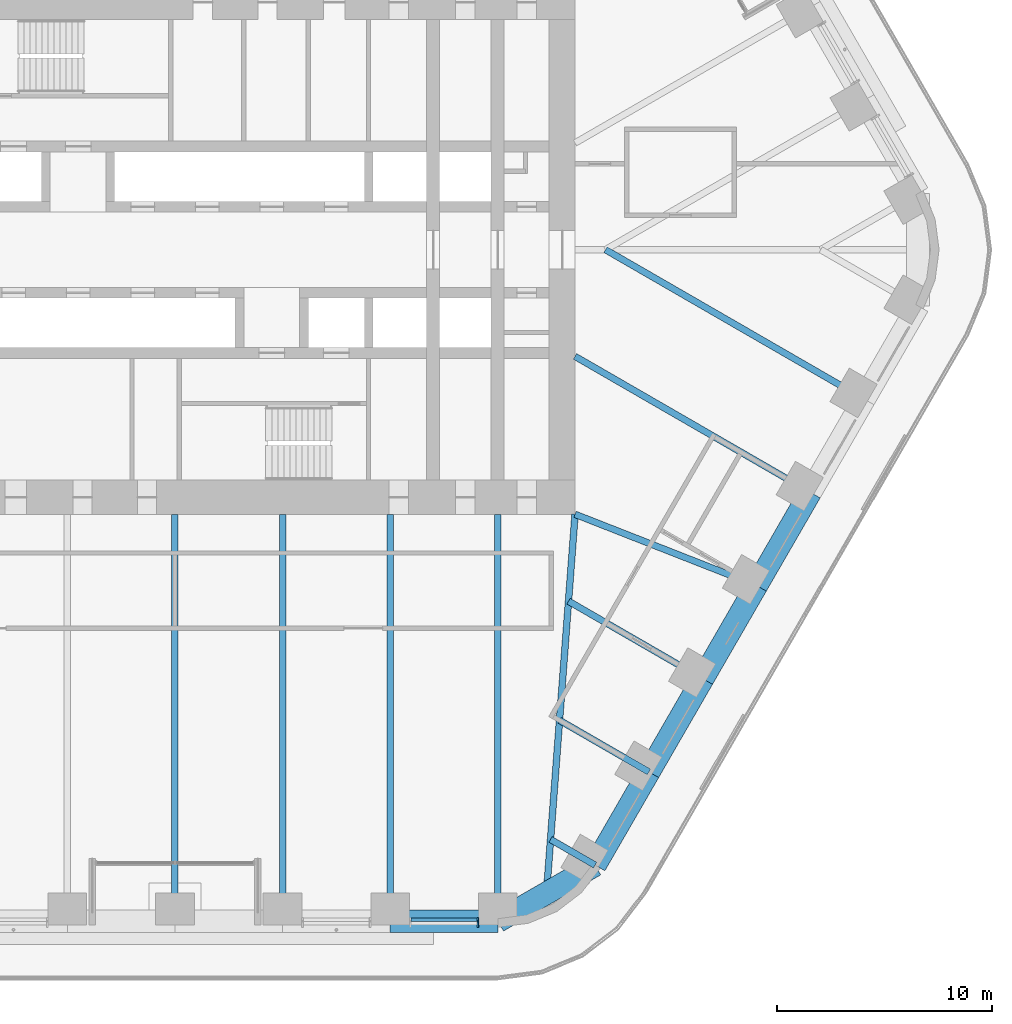
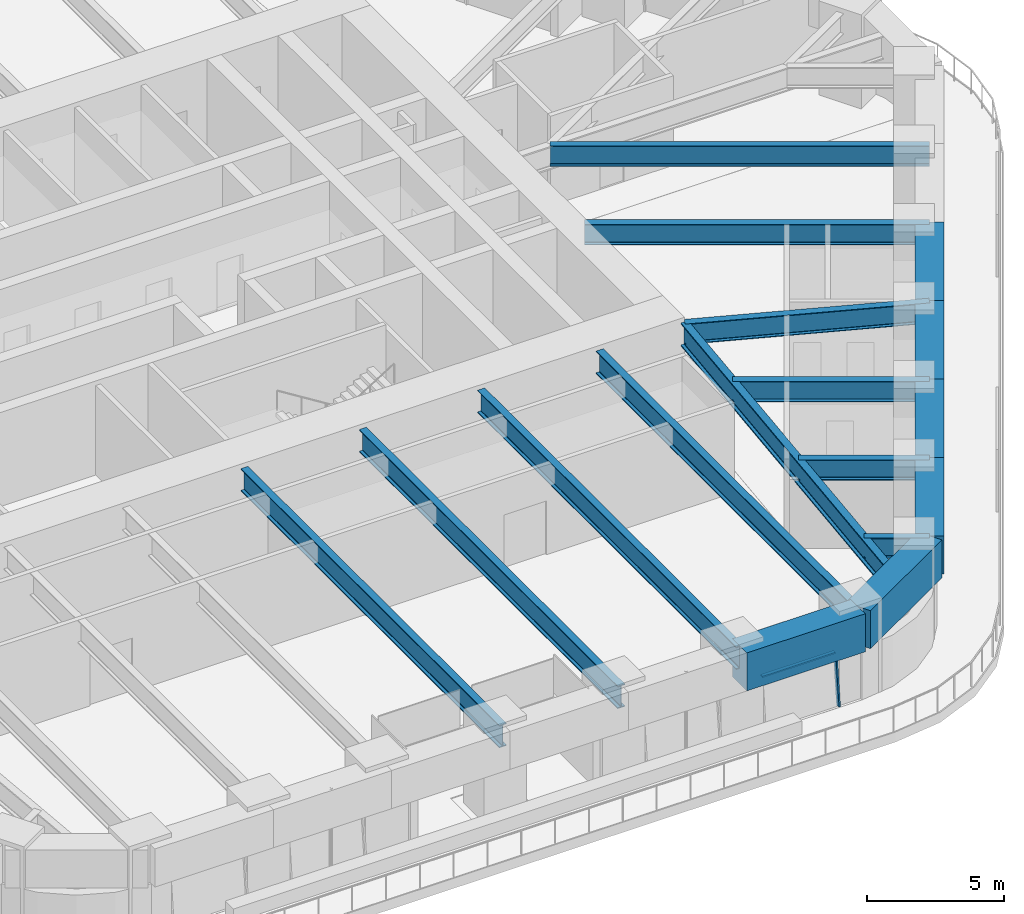
# One storey, part 5 of 24: 17 beams, 2 members, 1 element without a shape of its own.
"""IFC4 building model written with IfcOpenShell, lengths in metres."""

from ifc_helpers import new_model, si_unit, direction, frame, origin, origin_2d, place, context, subcontext, project, spatial, rectangle, i_section, extrude, material, material_profile, profile_set, type_object, element, aggregate, save


model = new_model("IFC4")

# Units and contexts
model_context = context("Model", 3, precision=1e-05, world=origin(), true_north=direction((0.0, 1.0)))
body_context = subcontext(model_context, "Body", "Model", "MODEL_VIEW")
ifc_project = project(units=[si_unit("LENGTHUNIT", "METRE"), si_unit("AREAUNIT", "SQUARE_METRE"), si_unit("VOLUMEUNIT", "CUBIC_METRE"), si_unit("PLANEANGLEUNIT", "RADIAN"), si_unit("MASSUNIT", "GRAM", prefix="KILO")], contexts=[model_context])

# Site, building, storey
site_placement = place(None, origin())
site = spatial("IfcSite", under=ifc_project, at=site_placement, CompositionType="ELEMENT")
building_placement = place(site_placement, origin())
building = spatial("IfcBuilding", under=site, at=building_placement, Name="Tarfa Lantern Tower", CompositionType="ELEMENT")
storey_placement = place(building_placement, frame((0.0, 0.0, 132.10009765625)))
storey = spatial("IfcBuildingStorey", under=building, at=storey_placement, Name="L29", CompositionType="ELEMENT", Elevation=132.10009765625)

# Curtain wall, members
ifc_material_1 = material(Name="Aluminium framed curtain wall", Category="aluminium")
curtain_wall_type = type_object("IfcCurtainWallType", Name="CW2 CANTED GLAZING MID ZONE 2300", PredefinedType="USERDEFINED", material=ifc_material_1)
curtain_wall_placement = place(storey_placement, origin())
curtain_wall = element("IfcCurtainWall", 1, at=curtain_wall_placement, inside=storey, type_object=curtain_wall_type, Name="CW2 SB L29", ObjectType="CURTAIN WALL", PredefinedType="USERDEFINED")
ifc_material_2 = material(Name="Aluminium mullion", Category="aluminium")
ifc_material_profile_1 = material_profile(ifc_material_2, rectangle(XDim=0.06494140625, YDim=0.199951171875, at=origin_2d()), Name="AL MULLION 65x200")
ifc_profile_set_1 = profile_set([ifc_material_profile_1], Name="Aluminium mullion")
member_type_1 = type_object("IfcMemberType", Name="CWM1 MULLION 65x200", PredefinedType="MULLION", material=ifc_profile_set_1)
member_1_placement = place(storey_placement, frame((14.07861328125, -31.39990234375, 0.0), z_axis=(0.0, 0.108068250598, 0.994143477177), x_axis=(-1.0, 0.0, 0.0)))
member_1 = element("IfcMember", 2, at=member_1_placement, type_object=member_type_1, Name="CW2 mullion 2", PredefinedType="MULLION", context=body_context, shape_type="SweptSolid", body=[
    extrude(rectangle(XDim=0.06494140625, YDim=0.199951171875, at=origin_2d()), origin(), (0.0, 0.0, 1.0), 2.313232421875),
])
ifc_material_3 = material(Name="Aluminium transom", Category="aluminium")
ifc_material_profile_2 = material_profile(ifc_material_3, rectangle(XDim=0.14990234375, YDim=0.06494140625, at=origin_2d()), Name="AL TRANSOM 150x65")
ifc_profile_set_2 = profile_set([ifc_material_profile_2], Name="Aluminium transom")
member_type_2 = type_object("IfcMemberType", Name="CWT1 TRANSOM 150x65", PredefinedType="USERDEFINED", material=ifc_profile_set_2)
member_2_placement = place(storey_placement, frame((10.972412109375, -31.153564453125, 2.267333984375), z_axis=(1.0, 0.0, 0.0), x_axis=(0.0, 1.0, 0.0)))
member_2 = element("IfcMember", 3, at=member_2_placement, type_object=member_type_2, Name="CW2 transom 1.2", ObjectType="TRANSOM", PredefinedType="USERDEFINED", context=body_context, shape_type="SweptSolid", body=[
    extrude(rectangle(XDim=0.14990234375, YDim=0.06494140625, at=origin_2d()), origin(), (0.0, 0.0, 1.0), 3.07373046875),
])
aggregate(curtain_wall, [member_1, member_2])

# Beams
ifc_material_4 = material(Name="Concrete C80/95", Category="concrete")
ifc_material_profile_3 = material_profile(ifc_material_4, rectangle(XDim=1.050048828125, YDim=1.699951171875, at=origin_2d()), Name="RC 1050x1700")
ifc_profile_set_3 = profile_set([ifc_material_profile_3], Name="Concrete C80/95")
beam_type_1 = type_object("IfcBeamType", Name="RB2 RC 1050x1700", PredefinedType="BEAM", material=ifc_profile_set_3)
beam_1_placement = place(storey_placement, frame((10.00732421875, -31.219970703125, 3.14990234375), z_axis=(1.0, 0.0, 0.0), x_axis=(0.0, 1.0, 0.0)))
element("IfcBeam", 4, at=beam_1_placement, inside=storey, type_object=beam_type_1, Name="Edge beam S5", PredefinedType="BEAM", context=body_context, shape_type="SweptSolid", body=[
    extrude(rectangle(XDim=1.050048828125, YDim=1.699951171875, at=origin_2d()), origin(), (0.0, 0.0, 1.0), 5.003662109375),
])
beam_2_placement = place(storey_placement, frame((15.010986328125, -31.219970703125, 3.14990234375), z_axis=(0.86604150238, 0.499972115377, 0.0), x_axis=(-0.499972115377, 0.86604150238, 0.0)))
element("IfcBeam", 5, at=beam_2_placement, inside=storey, type_object=beam_type_1, Name="Edge beam S6", PredefinedType="BEAM", context=body_context, shape_type="SweptSolid", body=[
    extrude(rectangle(XDim=1.050048828125, YDim=1.699951171875, at=origin_2d()), origin(), (0.0, 0.0, 1.0), 5.219970703125),
])
beam_3_placement = place(storey_placement, frame((19.53173828125, -28.610107421875, 3.14990234375), z_axis=(0.500001197378, 0.866024712477, 0.0), x_axis=(-0.866024712477, 0.500001197378, 0.0)))
element("IfcBeam", 6, at=beam_3_placement, inside=storey, type_object=beam_type_1, Name="Edge beam SE0", PredefinedType="BEAM", context=body_context, shape_type="SweptSolid", body=[
    extrude(rectangle(XDim=1.050048828125, YDim=1.699951171875, at=origin_2d()), origin(), (0.0, 0.0, 1.0), 5.00390625),
])
for number, where, z_axis, x_axis, name in (
    (7, (22.03369140625, -24.276611328125, 3.14990234375), (0.49998573051, 0.866033642122, 0.0), (-0.866033642122, 0.49998573051, 0.0), "Edge beam SE1"),
    (8, (24.535400390625, -19.943359375, 3.14990234375), (0.500022324899, 0.866012514114, 0.0), (-0.866012514114, 0.500022324899, 0.0), "Edge beam SE2"),
    (9, (27.037353515625, -15.610107421875, 3.14990234375), (0.499964603504, 0.866045838996, 0.0), (-0.866045838996, 0.499964603504, 0.0), "Edge beam SE3"),
):
    element("IfcBeam", number, at=place(storey_placement, frame(where, z_axis=z_axis, x_axis=x_axis)), inside=storey, type_object=beam_type_1, Name=name, PredefinedType="BEAM", context=body_context, shape_type="SweptSolid", body=[
        extrude(rectangle(XDim=1.050048828125, YDim=1.699951171875, at=origin_2d()), origin(), (0.0, 0.0, 1.0), 5.003662109375),
    ])
ifc_material_5 = material(Name="Steel S460M", Category="steel")
ifc_material_profile_4 = material_profile(ifc_material_5, i_section(OverallWidth=0.302001953125, OverallDepth=1.008056640625, WebThickness=0.02099609375, FlangeThickness=0.0400390625, FilletRadius=0.030029296875, at=origin_2d()), Name="UB1016x305x349")
ifc_profile_set_4 = profile_set([ifc_material_profile_4], Name="Steel S460M")
beam_type_2 = type_object("IfcBeamType", Name="UB1016x305x349", PredefinedType="BEAM", material=ifc_profile_set_4)
for number, where, z_axis, x_axis, name in (
    (10, (0.0, -31.219970703125, 3.495849609375), (0.0, 1.0, 0.0), (-1.0, 0.0, 0.0), "Floor beam S3"),
    (11, (5.003662109375, -31.219970703125, 3.495849609375), (0.0, 1.0, 0.0), (-1.0, 0.0, 0.0), "Floor beam S4"),
    (12, (10.00732421875, -31.219970703125, 3.495849609375), (0.0, 1.0, 0.0), (-1.0, 0.0, 0.0), "Floor beam S5"),
    (13, (15.010986328125, -31.219970703125, 3.495849609375), (0.0, 1.0, 0.0), (-1.0, 0.0, 0.0), "Floor beam S6"),
):
    element("IfcBeam", number, at=place(storey_placement, frame(where, z_axis=z_axis, x_axis=x_axis)), inside=storey, type_object=beam_type_2, Name=name, PredefinedType="BEAM", context=body_context, shape_type="SweptSolid", body=[
        extrude(i_section(OverallWidth=0.302001953125, OverallDepth=1.008056640625, WebThickness=0.02099609375, FlangeThickness=0.0400390625, FilletRadius=0.030029296875, at=origin_2d()), origin(), (0.0, 0.0, 1.0), 18.919921875),
    ])
ifc_material_profile_5 = material_profile(ifc_material_5, i_section(OverallWidth=0.30859375, OverallDepth=1.036376953125, WebThickness=0.030029296875, FlangeThickness=0.05419921875, FilletRadius=0.030029296875, at=origin_2d()), Name="UB1016x305x487")
ifc_profile_set_5 = profile_set([ifc_material_profile_5], Name="Steel S460M")
beam_type_3 = type_object("IfcBeamType", Name="UB1016x305x487", PredefinedType="BEAM", material=ifc_profile_set_5)
beam_4_placement = place(storey_placement, frame((18.60009765625, -12.300048828125, 3.481689453125), z_axis=(-0.075211516041, -0.99716760269, 0.0), x_axis=(0.99716760269, -0.075211516041, 0.0)))
element("IfcBeam", 14, at=beam_4_placement, inside=storey, type_object=beam_type_3, Name="Hip girder SE", PredefinedType="BEAM", context=body_context, shape_type="SweptSolid", body=[
    extrude(i_section(OverallWidth=0.30859375, OverallDepth=1.036376953125, WebThickness=0.030029296875, FlangeThickness=0.05419921875, FilletRadius=0.030029296875, at=origin_2d()), origin(), (0.0, 0.0, 1.0), 17.6650390625),
])
ifc_material_profile_6 = material_profile(ifc_material_5, i_section(OverallWidth=0.305419921875, OverallDepth=0.91845703125, WebThickness=0.017333984375, FlangeThickness=0.02783203125, FilletRadius=0.01904296875, at=origin_2d()), Name="UB914x305x253")
ifc_profile_set_6 = profile_set([ifc_material_profile_6], Name="Steel S460M")
beam_type_4 = type_object("IfcBeamType", Name="UB914x305x253", PredefinedType="BEAM", material=ifc_profile_set_6)
beam_5_placement = place(storey_placement, frame((19.53173828125, -28.610107421875, 3.540771484375), z_axis=(-0.865998640954, 0.500046351717, 0.0), x_axis=(-0.500046351717, -0.865998640954, 0.0)))
element("IfcBeam", 15, at=beam_5_placement, inside=storey, type_object=beam_type_4, Name="Floor beam SE0", PredefinedType="BEAM", context=body_context, shape_type="SweptSolid", body=[
    extrude(i_section(OverallWidth=0.305419921875, OverallDepth=0.91845703125, WebThickness=0.017333984375, FlangeThickness=0.02783203125, FilletRadius=0.01904296875, at=origin_2d()), origin(), (0.0, 0.0, 1.0), 2.392333984375),
])
beam_6_placement = place(storey_placement, frame((22.03369140625, -24.276611328125, 3.540771484375), z_axis=(-0.866030550462, 0.499991085587, 0.0), x_axis=(-0.499991085587, -0.866030550462, 0.0)))
element("IfcBeam", 16, at=beam_6_placement, inside=storey, type_object=beam_type_4, Name="Floor beam SE1", PredefinedType="BEAM", context=body_context, shape_type="SweptSolid", body=[
    extrude(i_section(OverallWidth=0.305419921875, OverallDepth=0.91845703125, WebThickness=0.017333984375, FlangeThickness=0.02783203125, FilletRadius=0.01904296875, at=origin_2d()), origin(), (0.0, 0.0, 1.0), 4.798828125),
])
beam_7_placement = place(storey_placement, frame((24.535400390625, -19.943359375, 3.540771484375), z_axis=(-0.86602647304, 0.499998147991, 0.0), x_axis=(-0.499998147991, -0.86602647304, 0.0)))
element("IfcBeam", 17, at=beam_7_placement, inside=storey, type_object=beam_type_4, Name="Floor beam SE2", PredefinedType="BEAM", context=body_context, shape_type="SweptSolid", body=[
    extrude(i_section(OverallWidth=0.305419921875, OverallDepth=0.91845703125, WebThickness=0.017333984375, FlangeThickness=0.02783203125, FilletRadius=0.01904296875, at=origin_2d()), origin(), (0.0, 0.0, 1.0), 7.20556640625),
])
beam_8_placement = place(storey_placement, frame((27.037353515625, -15.610107421875, 3.540771484375), z_axis=(-0.930923282782, 0.365214788274, 0.0), x_axis=(-0.365214788274, -0.930923282782, 0.0)))
element("IfcBeam", 18, at=beam_8_placement, inside=storey, type_object=beam_type_4, Name="Floor beam SE3", PredefinedType="BEAM", context=body_context, shape_type="SweptSolid", body=[
    extrude(i_section(OverallWidth=0.305419921875, OverallDepth=0.91845703125, WebThickness=0.017333984375, FlangeThickness=0.02783203125, FilletRadius=0.01904296875, at=origin_2d()), origin(), (0.0, 0.0, 1.0), 9.063232421875),
])
beam_9_placement = place(storey_placement, frame((29.5390625, -11.276611328125, 3.540771484375), z_axis=(-0.866023362995, 0.500003534735, 0.0), x_axis=(-0.500003534735, -0.866023362995, 0.0)))
element("IfcBeam", 19, at=beam_9_placement, inside=storey, type_object=beam_type_4, Name="Floor beam SE4", PredefinedType="BEAM", context=body_context, shape_type="SweptSolid", body=[
    extrude(i_section(OverallWidth=0.305419921875, OverallDepth=0.91845703125, WebThickness=0.017333984375, FlangeThickness=0.02783203125, FilletRadius=0.01904296875, at=origin_2d()), origin(), (0.0, 0.0, 1.0), 12.63134765625),
])
beam_10_placement = place(storey_placement, frame((32.041015625, -6.943359375, 3.540771484375), z_axis=(-0.866023096411, 0.500003996466, 0.0), x_axis=(-0.500003996466, -0.866023096411, 0.0)))
element("IfcBeam", 20, at=beam_10_placement, inside=storey, type_object=beam_type_4, Name="Floor beam SE5", PredefinedType="BEAM", context=body_context, shape_type="SweptSolid", body=[
    extrude(i_section(OverallWidth=0.305419921875, OverallDepth=0.91845703125, WebThickness=0.017333984375, FlangeThickness=0.02783203125, FilletRadius=0.01904296875, at=origin_2d()), origin(), (0.0, 0.0, 1.0), 13.88671875),
])

save(model, "model.ifc")
